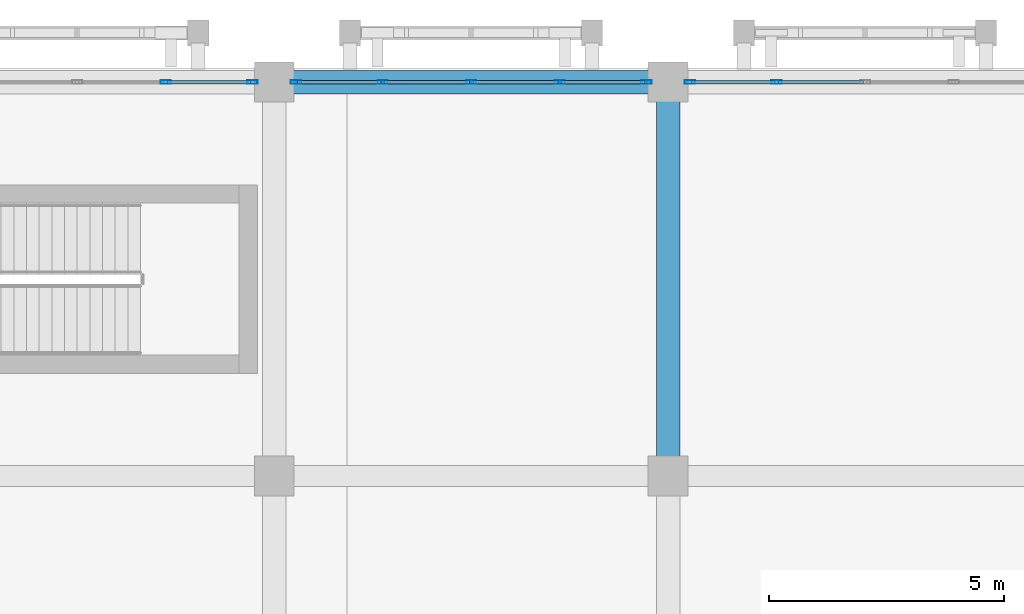
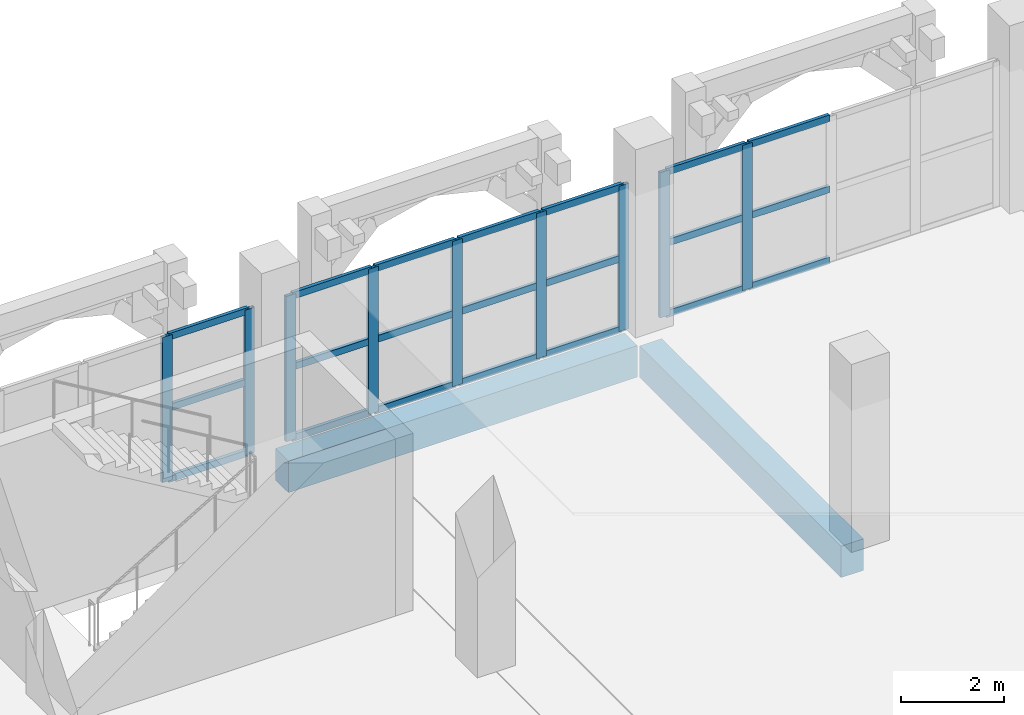
# One storey, part 60 of 137: 30 members, 2 beams, 3 elements without a shape of their own.
"""IFC4 building model written with IfcOpenShell, lengths in metres."""

from ifc_helpers import new_model, si_unit, direction, frame, origin, origin_2d, place, context, subcontext, project, spatial, rectangle, hollow_rectangle, extrude, material, layer, layer_set, material_profile, profile_set, type_object, element, aggregate, save


model = new_model("IFC4")

# Units and contexts
model_context = context("Model", 3, precision=1e-05, world=origin(), true_north=direction((0.0, 1.0)))
body_context = subcontext(model_context, "Body", "Model", "MODEL_VIEW")
ifc_project = project(units=[si_unit("LENGTHUNIT", "METRE"), si_unit("AREAUNIT", "SQUARE_METRE"), si_unit("VOLUMEUNIT", "CUBIC_METRE"), si_unit("PLANEANGLEUNIT", "RADIAN"), si_unit("MASSUNIT", "GRAM", prefix="KILO")], contexts=[model_context])

# Site, building, storey
site_placement = place(None, origin())
site = spatial("IfcSite", under=ifc_project, at=site_placement, CompositionType="ELEMENT")
building_placement = place(site_placement, origin())
building = spatial("IfcBuilding", under=site, at=building_placement, Name="Xazarin Passage Department Store", CompositionType="ELEMENT")
storey_placement = place(building_placement, frame((0.0, 0.0, 5.39990234375)))
storey = spatial("IfcBuildingStorey", under=building, at=storey_placement, Name="L01", CompositionType="ELEMENT", Elevation=5.39990234375)

# Curtain wall, members
ifc_material_1 = material(Name="Bronze anodised aluminium", Category="aluminium")
ifc_layer = layer(ifc_material_1, 0.179931640625)
ifc_layer_set = layer_set([ifc_layer], Name="Bronze anodised aluminium")
curtain_wall_type = type_object("IfcCurtainWallType", Name="ARC-CW-VIT1", PredefinedType="NOTDEFINED", material=ifc_layer_set)
curtain_wall_1_placement = place(storey_placement, origin())
curtain_wall_1 = element("IfcCurtainWall", 1, at=curtain_wall_1_placement, inside=storey, type_object=curtain_wall_type, Name="L01 V1 Curtain Wall 015", PredefinedType="NOTDEFINED")
ifc_material_profile_1 = material_profile(ifc_material_1, hollow_rectangle(XDim=0.074951171875, YDim=0.219970703125, WallThickness=0.0048828125, at=origin_2d()), Name="ALU 75x220")
ifc_profile_set_1 = profile_set([ifc_material_profile_1], Name="Bronze anodised aluminium")
member_type_1 = type_object("IfcMemberType", Name="ARC-CWM-75x220", PredefinedType="MULLION", material=ifc_profile_set_1)
member_1_placement = place(storey_placement, frame((31.28759765625, 110.0, 0.0), z_axis=(0.0, 0.0, 1.0), x_axis=(0.0, 1.0, 0.0)))
member_1 = element("IfcMember", 2, at=member_1_placement, type_object=member_type_1, Name="CW1 mullion 4", PredefinedType="MULLION", context=body_context, shape_type="SweptSolid", body=[
    extrude(hollow_rectangle(XDim=0.074951171875, YDim=0.219970703125, WallThickness=0.0048828125, at=origin_2d()), origin(), (0.0, 0.0, 1.0), 3.4501953125),
])
member_2_placement = place(storey_placement, frame((33.137451171875, 110.0, 0.0), z_axis=(0.0, 0.0, 1.0), x_axis=(0.0, 1.0, 0.0)))
member_2 = element("IfcMember", 3, at=member_2_placement, type_object=member_type_1, Name="CW1 mullion 5", PredefinedType="MULLION", context=body_context, shape_type="SweptSolid", body=[
    extrude(hollow_rectangle(XDim=0.074951171875, YDim=0.219970703125, WallThickness=0.0048828125, at=origin_2d()), origin(), (0.0, 0.0, 1.0), 3.4501953125),
])

curtain_wall_2_placement = place(storey_placement, origin())
curtain_wall_2 = element("IfcCurtainWall", 4, at=curtain_wall_2_placement, inside=storey, type_object=curtain_wall_type, Name="L01 V1 Curtain Wall 016", PredefinedType="NOTDEFINED")
member_3_placement = place(storey_placement, frame((34.0625, 110.0, 0.0), z_axis=(0.0, 0.0, 1.0), x_axis=(0.0, 1.0, 0.0)))
member_3 = element("IfcMember", 5, at=member_3_placement, type_object=member_type_1, Name="CW1 mullion 1", PredefinedType="MULLION", context=body_context, shape_type="SweptSolid", body=[
    extrude(hollow_rectangle(XDim=0.074951171875, YDim=0.219970703125, WallThickness=0.0048828125, at=origin_2d()), origin(), (0.0, 0.0, 1.0), 3.4501953125),
])
member_4_placement = place(storey_placement, frame((35.91259765625, 110.0, 0.0), z_axis=(0.0, 0.0, 1.0), x_axis=(0.0, 1.0, 0.0)))
member_4 = element("IfcMember", 6, at=member_4_placement, type_object=member_type_1, Name="CW1 mullion 2", PredefinedType="MULLION", context=body_context, shape_type="SweptSolid", body=[
    extrude(hollow_rectangle(XDim=0.074951171875, YDim=0.219970703125, WallThickness=0.0048828125, at=origin_2d()), origin(), (0.0, 0.0, 1.0), 3.4501953125),
])
member_5_placement = place(storey_placement, frame((37.800048828125, 110.0, 0.0), z_axis=(0.0, 0.0, 1.0), x_axis=(0.0, 1.0, 0.0)))
member_5 = element("IfcMember", 7, at=member_5_placement, type_object=member_type_1, Name="CW1 mullion 3", PredefinedType="MULLION", context=body_context, shape_type="SweptSolid", body=[
    extrude(hollow_rectangle(XDim=0.074951171875, YDim=0.219970703125, WallThickness=0.0048828125, at=origin_2d()), origin(), (0.0, 0.0, 1.0), 3.4501953125),
])
member_6_placement = place(storey_placement, frame((39.6875, 110.0, 0.0), z_axis=(0.0, 0.0, 1.0), x_axis=(0.0, 1.0, 0.0)))
member_6 = element("IfcMember", 8, at=member_6_placement, type_object=member_type_1, Name="CW1 mullion 4", PredefinedType="MULLION", context=body_context, shape_type="SweptSolid", body=[
    extrude(hollow_rectangle(XDim=0.074951171875, YDim=0.219970703125, WallThickness=0.0048828125, at=origin_2d()), origin(), (0.0, 0.0, 1.0), 3.4501953125),
])
member_7_placement = place(storey_placement, frame((41.53759765625, 110.0, 0.0), z_axis=(0.0, 0.0, 1.0), x_axis=(0.0, 1.0, 0.0)))
member_7 = element("IfcMember", 9, at=member_7_placement, type_object=member_type_1, Name="CW1 mullion 5", PredefinedType="MULLION", context=body_context, shape_type="SweptSolid", body=[
    extrude(hollow_rectangle(XDim=0.074951171875, YDim=0.219970703125, WallThickness=0.0048828125, at=origin_2d()), origin(), (0.0, 0.0, 1.0), 3.4501953125),
])

curtain_wall_3_placement = place(storey_placement, origin())
curtain_wall_3 = element("IfcCurtainWall", 10, at=curtain_wall_3_placement, inside=storey, type_object=curtain_wall_type, Name="L01 V1 Curtain Wall 017", PredefinedType="NOTDEFINED")
member_8_placement = place(storey_placement, frame((42.46240234375, 110.0, 0.0), z_axis=(0.0, 0.0, 1.0), x_axis=(0.0, 1.0, 0.0)))
member_8 = element("IfcMember", 11, at=member_8_placement, type_object=member_type_1, Name="CW1 mullion 1", PredefinedType="MULLION", context=body_context, shape_type="SweptSolid", body=[
    extrude(hollow_rectangle(XDim=0.074951171875, YDim=0.219970703125, WallThickness=0.0048828125, at=origin_2d()), origin(), (0.0, 0.0, 1.0), 3.4501953125),
])
member_9_placement = place(storey_placement, frame((44.3125, 110.0, 0.0), z_axis=(0.0, 0.0, 1.0), x_axis=(0.0, 1.0, 0.0)))
member_9 = element("IfcMember", 12, at=member_9_placement, type_object=member_type_1, Name="CW1 mullion 2", PredefinedType="MULLION", context=body_context, shape_type="SweptSolid", body=[
    extrude(hollow_rectangle(XDim=0.074951171875, YDim=0.219970703125, WallThickness=0.0048828125, at=origin_2d()), origin(), (0.0, 0.0, 1.0), 3.4501953125),
])

# Member
ifc_material_profile_2 = material_profile(ifc_material_1, hollow_rectangle(XDim=0.074951171875, YDim=0.159912109375, WallThickness=0.00439453125, at=origin_2d()), Name="ALU 75x160")
ifc_profile_set_2 = profile_set([ifc_material_profile_2], Name="Bronze anodised aluminium")
member_type_2 = type_object("IfcMemberType", Name="ARC-CWT-75x160", PredefinedType="USERDEFINED", material=ifc_profile_set_2)
member_10_placement = place(storey_placement, frame((31.324951171875, 110.0, 0.03759765625), z_axis=(1.0, 0.0, 0.0), x_axis=(0.0, 1.0, 0.0)))
member_10 = element("IfcMember", 13, at=member_10_placement, type_object=member_type_2, Name="CW1 transom 4.1", ObjectType="TRANSOM", PredefinedType="USERDEFINED", context=body_context, shape_type="SweptSolid", body=[
    extrude(hollow_rectangle(XDim=0.074951171875, YDim=0.159912109375, WallThickness=0.00439453125, at=origin_2d()), origin(), (0.0, 0.0, 1.0), 1.775146484375),
])

member_11_placement = place(storey_placement, frame((31.324951171875, 110.0, 1.72509765625), z_axis=(1.0, 0.0, 0.0), x_axis=(0.0, 1.0, 0.0)))
member_11 = element("IfcMember", 14, at=member_11_placement, type_object=member_type_2, Name="CW1 transom 4.2", ObjectType="TRANSOM", PredefinedType="USERDEFINED", context=body_context, shape_type="SweptSolid", body=[
    extrude(hollow_rectangle(XDim=0.074951171875, YDim=0.159912109375, WallThickness=0.00439453125, at=origin_2d()), origin(), (0.0, 0.0, 1.0), 1.775146484375),
])

member_12_placement = place(storey_placement, frame((31.324951171875, 110.0, 3.41259765625), z_axis=(1.0, 0.0, 0.0), x_axis=(0.0, 1.0, 0.0)))
member_12 = element("IfcMember", 15, at=member_12_placement, type_object=member_type_2, Name="CW1 transom 4.3", ObjectType="TRANSOM", PredefinedType="USERDEFINED", context=body_context, shape_type="SweptSolid", body=[
    extrude(hollow_rectangle(XDim=0.074951171875, YDim=0.159912109375, WallThickness=0.00439453125, at=origin_2d()), origin(), (0.0, 0.0, 1.0), 1.775146484375),
])

aggregate(curtain_wall_1, [member_1, member_2, member_10, member_11, member_12])

member_13_placement = place(storey_placement, frame((34.10009765625, 110.0, 0.03759765625), z_axis=(1.0, 0.0, 0.0), x_axis=(0.0, 1.0, 0.0)))
member_13 = element("IfcMember", 16, at=member_13_placement, type_object=member_type_2, Name="CW1 transom 1.1", ObjectType="TRANSOM", PredefinedType="USERDEFINED", context=body_context, shape_type="SweptSolid", body=[
    extrude(hollow_rectangle(XDim=0.074951171875, YDim=0.159912109375, WallThickness=0.00439453125, at=origin_2d()), origin(), (0.0, 0.0, 1.0), 1.77490234375),
])

member_14_placement = place(storey_placement, frame((34.10009765625, 110.0, 1.72509765625), z_axis=(1.0, 0.0, 0.0), x_axis=(0.0, 1.0, 0.0)))
member_14 = element("IfcMember", 17, at=member_14_placement, type_object=member_type_2, Name="CW1 transom 1.2", ObjectType="TRANSOM", PredefinedType="USERDEFINED", context=body_context, shape_type="SweptSolid", body=[
    extrude(hollow_rectangle(XDim=0.074951171875, YDim=0.159912109375, WallThickness=0.00439453125, at=origin_2d()), origin(), (0.0, 0.0, 1.0), 1.77490234375),
])

member_15_placement = place(storey_placement, frame((34.10009765625, 110.0, 3.41259765625), z_axis=(1.0, 0.0, 0.0), x_axis=(0.0, 1.0, 0.0)))
member_15 = element("IfcMember", 18, at=member_15_placement, type_object=member_type_2, Name="CW1 transom 1.3", ObjectType="TRANSOM", PredefinedType="USERDEFINED", context=body_context, shape_type="SweptSolid", body=[
    extrude(hollow_rectangle(XDim=0.074951171875, YDim=0.159912109375, WallThickness=0.00439453125, at=origin_2d()), origin(), (0.0, 0.0, 1.0), 1.77490234375),
])

member_16_placement = place(storey_placement, frame((35.949951171875, 110.0, 0.03759765625), z_axis=(1.0, 0.0, 0.0), x_axis=(0.0, 1.0, 0.0)))
member_16 = element("IfcMember", 19, at=member_16_placement, type_object=member_type_2, Name="CW1 transom 2.1", ObjectType="TRANSOM", PredefinedType="USERDEFINED", context=body_context, shape_type="SweptSolid", body=[
    extrude(hollow_rectangle(XDim=0.074951171875, YDim=0.159912109375, WallThickness=0.00439453125, at=origin_2d()), origin(), (0.0, 0.0, 1.0), 1.8125),
])

member_17_placement = place(storey_placement, frame((35.949951171875, 110.0, 1.72509765625), z_axis=(1.0, 0.0, 0.0), x_axis=(0.0, 1.0, 0.0)))
member_17 = element("IfcMember", 20, at=member_17_placement, type_object=member_type_2, Name="CW1 transom 2.2", ObjectType="TRANSOM", PredefinedType="USERDEFINED", context=body_context, shape_type="SweptSolid", body=[
    extrude(hollow_rectangle(XDim=0.074951171875, YDim=0.159912109375, WallThickness=0.00439453125, at=origin_2d()), origin(), (0.0, 0.0, 1.0), 1.8125),
])

member_18_placement = place(storey_placement, frame((35.949951171875, 110.0, 3.41259765625), z_axis=(1.0, 0.0, 0.0), x_axis=(0.0, 1.0, 0.0)))
member_18 = element("IfcMember", 21, at=member_18_placement, type_object=member_type_2, Name="CW1 transom 2.3", ObjectType="TRANSOM", PredefinedType="USERDEFINED", context=body_context, shape_type="SweptSolid", body=[
    extrude(hollow_rectangle(XDim=0.074951171875, YDim=0.159912109375, WallThickness=0.00439453125, at=origin_2d()), origin(), (0.0, 0.0, 1.0), 1.8125),
])

member_19_placement = place(storey_placement, frame((37.83740234375, 110.0, 0.03759765625), z_axis=(1.0, 0.0, 0.0), x_axis=(0.0, 1.0, 0.0)))
member_19 = element("IfcMember", 22, at=member_19_placement, type_object=member_type_2, Name="CW1 transom 3.1", ObjectType="TRANSOM", PredefinedType="USERDEFINED", context=body_context, shape_type="SweptSolid", body=[
    extrude(hollow_rectangle(XDim=0.074951171875, YDim=0.159912109375, WallThickness=0.00439453125, at=origin_2d()), origin(), (0.0, 0.0, 1.0), 1.8125),
])

member_20_placement = place(storey_placement, frame((37.83740234375, 110.0, 1.72509765625), z_axis=(1.0, 0.0, 0.0), x_axis=(0.0, 1.0, 0.0)))
member_20 = element("IfcMember", 23, at=member_20_placement, type_object=member_type_2, Name="CW1 transom 3.2", ObjectType="TRANSOM", PredefinedType="USERDEFINED", context=body_context, shape_type="SweptSolid", body=[
    extrude(hollow_rectangle(XDim=0.074951171875, YDim=0.159912109375, WallThickness=0.00439453125, at=origin_2d()), origin(), (0.0, 0.0, 1.0), 1.8125),
])

member_21_placement = place(storey_placement, frame((37.83740234375, 110.0, 3.41259765625), z_axis=(1.0, 0.0, 0.0), x_axis=(0.0, 1.0, 0.0)))
member_21 = element("IfcMember", 24, at=member_21_placement, type_object=member_type_2, Name="CW1 transom 3.3", ObjectType="TRANSOM", PredefinedType="USERDEFINED", context=body_context, shape_type="SweptSolid", body=[
    extrude(hollow_rectangle(XDim=0.074951171875, YDim=0.159912109375, WallThickness=0.00439453125, at=origin_2d()), origin(), (0.0, 0.0, 1.0), 1.8125),
])

member_22_placement = place(storey_placement, frame((39.72509765625, 110.0, 0.03759765625), z_axis=(1.0, 0.0, 0.0), x_axis=(0.0, 1.0, 0.0)))
member_22 = element("IfcMember", 25, at=member_22_placement, type_object=member_type_2, Name="CW1 transom 4.1", ObjectType="TRANSOM", PredefinedType="USERDEFINED", context=body_context, shape_type="SweptSolid", body=[
    extrude(hollow_rectangle(XDim=0.074951171875, YDim=0.159912109375, WallThickness=0.00439453125, at=origin_2d()), origin(), (0.0, 0.0, 1.0), 1.77490234375),
])

member_23_placement = place(storey_placement, frame((39.72509765625, 110.0, 1.72509765625), z_axis=(1.0, 0.0, 0.0), x_axis=(0.0, 1.0, 0.0)))
member_23 = element("IfcMember", 26, at=member_23_placement, type_object=member_type_2, Name="CW1 transom 4.2", ObjectType="TRANSOM", PredefinedType="USERDEFINED", context=body_context, shape_type="SweptSolid", body=[
    extrude(hollow_rectangle(XDim=0.074951171875, YDim=0.159912109375, WallThickness=0.00439453125, at=origin_2d()), origin(), (0.0, 0.0, 1.0), 1.77490234375),
])

member_24_placement = place(storey_placement, frame((39.72509765625, 110.0, 3.41259765625), z_axis=(1.0, 0.0, 0.0), x_axis=(0.0, 1.0, 0.0)))
member_24 = element("IfcMember", 27, at=member_24_placement, type_object=member_type_2, Name="CW1 transom 4.3", ObjectType="TRANSOM", PredefinedType="USERDEFINED", context=body_context, shape_type="SweptSolid", body=[
    extrude(hollow_rectangle(XDim=0.074951171875, YDim=0.159912109375, WallThickness=0.00439453125, at=origin_2d()), origin(), (0.0, 0.0, 1.0), 1.77490234375),
])

aggregate(curtain_wall_2, [member_3, member_4, member_5, member_6, member_7, member_13, member_14, member_15, member_16, member_17, member_18, member_19, member_20, member_21, member_22, member_23, member_24])

member_25_placement = place(storey_placement, frame((42.5, 110.0, 0.03759765625), z_axis=(1.0, 0.0, 0.0), x_axis=(0.0, 1.0, 0.0)))
member_25 = element("IfcMember", 28, at=member_25_placement, type_object=member_type_2, Name="CW1 transom 1.1", ObjectType="TRANSOM", PredefinedType="USERDEFINED", context=body_context, shape_type="SweptSolid", body=[
    extrude(hollow_rectangle(XDim=0.074951171875, YDim=0.159912109375, WallThickness=0.00439453125, at=origin_2d()), origin(), (0.0, 0.0, 1.0), 1.77490234375),
])

member_26_placement = place(storey_placement, frame((42.5, 110.0, 1.72509765625), z_axis=(1.0, 0.0, 0.0), x_axis=(0.0, 1.0, 0.0)))
member_26 = element("IfcMember", 29, at=member_26_placement, type_object=member_type_2, Name="CW1 transom 1.2", ObjectType="TRANSOM", PredefinedType="USERDEFINED", context=body_context, shape_type="SweptSolid", body=[
    extrude(hollow_rectangle(XDim=0.074951171875, YDim=0.159912109375, WallThickness=0.00439453125, at=origin_2d()), origin(), (0.0, 0.0, 1.0), 1.77490234375),
])

member_27_placement = place(storey_placement, frame((42.5, 110.0, 3.41259765625), z_axis=(1.0, 0.0, 0.0), x_axis=(0.0, 1.0, 0.0)))
member_27 = element("IfcMember", 30, at=member_27_placement, type_object=member_type_2, Name="CW1 transom 1.3", ObjectType="TRANSOM", PredefinedType="USERDEFINED", context=body_context, shape_type="SweptSolid", body=[
    extrude(hollow_rectangle(XDim=0.074951171875, YDim=0.159912109375, WallThickness=0.00439453125, at=origin_2d()), origin(), (0.0, 0.0, 1.0), 1.77490234375),
])

member_28_placement = place(storey_placement, frame((44.35009765625, 110.0, 0.03759765625), z_axis=(1.0, 0.0, 0.0), x_axis=(0.0, 1.0, 0.0)))
member_28 = element("IfcMember", 31, at=member_28_placement, type_object=member_type_2, Name="CW1 transom 2.1", ObjectType="TRANSOM", PredefinedType="USERDEFINED", context=body_context, shape_type="SweptSolid", body=[
    extrude(hollow_rectangle(XDim=0.074951171875, YDim=0.159912109375, WallThickness=0.00439453125, at=origin_2d()), origin(), (0.0, 0.0, 1.0), 1.8125),
])

member_29_placement = place(storey_placement, frame((44.35009765625, 110.0, 1.72509765625), z_axis=(1.0, 0.0, 0.0), x_axis=(0.0, 1.0, 0.0)))
member_29 = element("IfcMember", 32, at=member_29_placement, type_object=member_type_2, Name="CW1 transom 2.2", ObjectType="TRANSOM", PredefinedType="USERDEFINED", context=body_context, shape_type="SweptSolid", body=[
    extrude(hollow_rectangle(XDim=0.074951171875, YDim=0.159912109375, WallThickness=0.00439453125, at=origin_2d()), origin(), (0.0, 0.0, 1.0), 1.8125),
])

member_30_placement = place(storey_placement, frame((44.35009765625, 110.0, 3.41259765625), z_axis=(1.0, 0.0, 0.0), x_axis=(0.0, 1.0, 0.0)))
member_30 = element("IfcMember", 33, at=member_30_placement, type_object=member_type_2, Name="CW1 transom 2.3", ObjectType="TRANSOM", PredefinedType="USERDEFINED", context=body_context, shape_type="SweptSolid", body=[
    extrude(hollow_rectangle(XDim=0.074951171875, YDim=0.159912109375, WallThickness=0.00439453125, at=origin_2d()), origin(), (0.0, 0.0, 1.0), 1.8125),
])

aggregate(curtain_wall_3, [member_8, member_9, member_25, member_26, member_27, member_28, member_29, member_30])

# Beams
ifc_material_2 = material(Name="Concrete C35/45", Category="concrete")
ifc_material_profile_3 = material_profile(ifc_material_2, rectangle(XDim=0.5, YDim=0.75, at=origin_2d()), Name="RC 500x750")
ifc_profile_set_3 = profile_set([ifc_material_profile_3], Name="Concrete C35/45")
beam_type = type_object("IfcBeamType", Name="STR-BM-SP500x750", PredefinedType="SPANDREL", material=ifc_profile_set_3)
for number, where, z_axis, x_axis, name in (
    (34, (33.8798828125, 110.0, -0.6748046875), (1.0, 0.0, 0.0), (0.0, 1.0, 0.0), "L01 Grid Beam Q/5-6"),
    (35, (42.0, 101.8798828125, -0.6748046875), (0.0, 1.0, 0.0), (-1.0, 0.0, 0.0), "L01 Grid Beam 6/P-Q"),
):
    element("IfcBeam", number, at=place(storey_placement, frame(where, z_axis=z_axis, x_axis=x_axis)), inside=storey, type_object=beam_type, Name=name, PredefinedType="SPANDREL", context=body_context, shape_type="SweptSolid", body=[
        extrude(rectangle(XDim=0.5, YDim=0.75, at=origin_2d()), origin(), (0.0, 0.0, 1.0), 7.840087890625),
    ])

save(model, "model.ifc")
